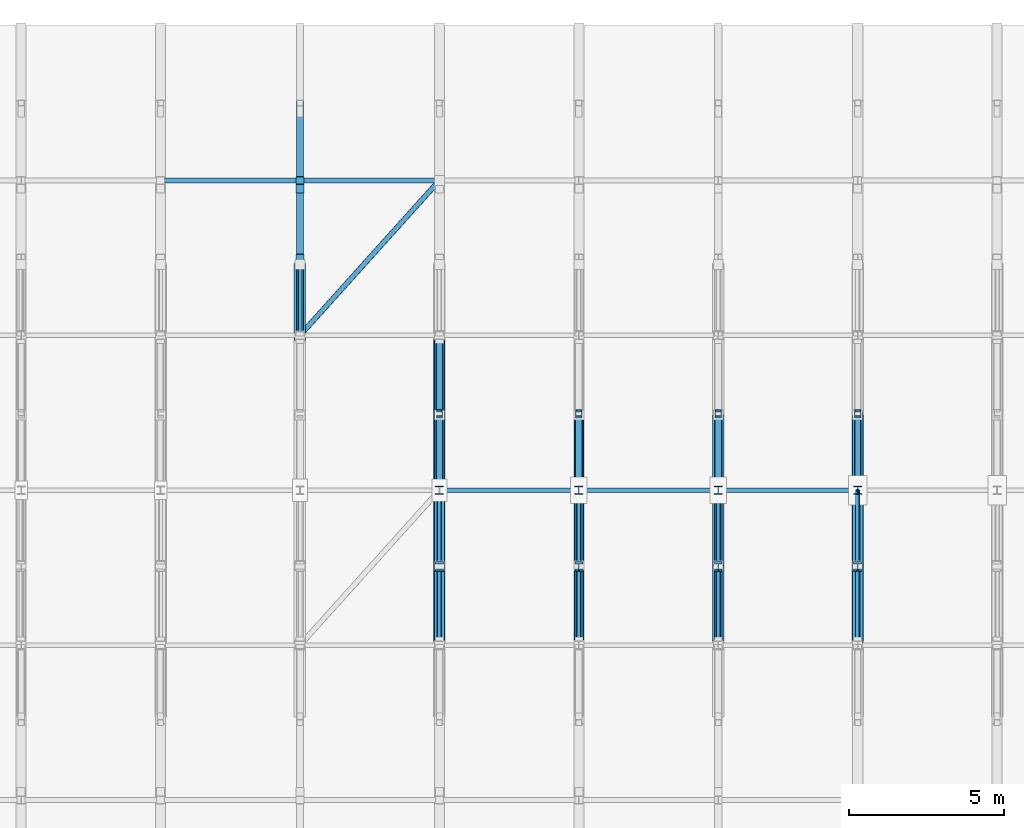
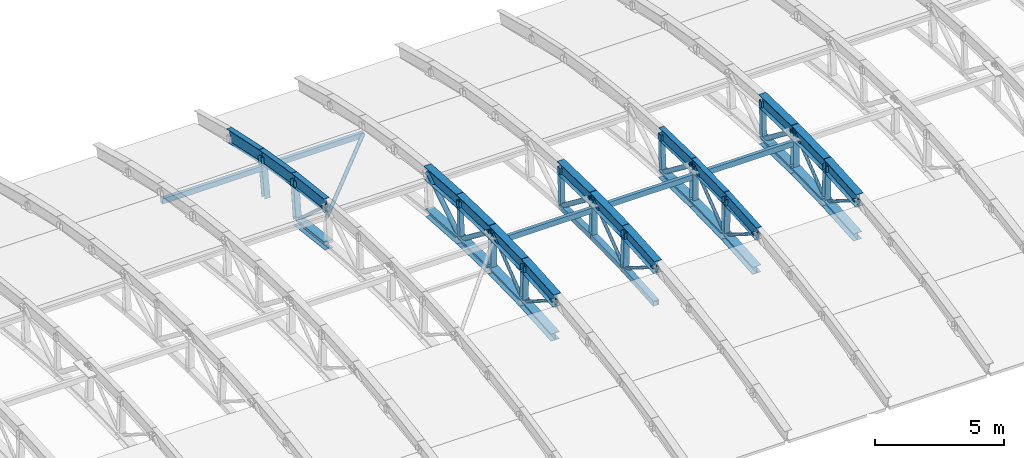
# One storey, part 19 of 53: 48 members, 16 beams.
"""IFC4 building model written with IfcOpenShell, lengths in metres."""

from ifc_helpers import new_model, si_unit, direction, frame, origin, origin_2d, place, context, subcontext, project, spatial, hollow_rectangle, hollow_circle, i_section, extrude, material, material_profile, profile_set, type_object, element, save


model = new_model("IFC4")

# Units and contexts
model_context = context("Model", 3, precision=1e-05, world=origin(), true_north=direction((0.0, 1.0)))
body_context = subcontext(model_context, "Body", "Model", "MODEL_VIEW")
ifc_project = project(units=[si_unit("LENGTHUNIT", "METRE"), si_unit("AREAUNIT", "SQUARE_METRE"), si_unit("VOLUMEUNIT", "CUBIC_METRE"), si_unit("PLANEANGLEUNIT", "RADIAN"), si_unit("MASSUNIT", "GRAM", prefix="KILO")], contexts=[model_context])

# Site, building, storey
site_placement = place(None, origin())
site = spatial("IfcSite", under=ifc_project, at=site_placement, CompositionType="ELEMENT")
building_placement = place(site_placement, origin())
building = spatial("IfcBuilding", under=site, at=building_placement, Name="Cazmaro Siding Exhibition Halls", CompositionType="ELEMENT")
storey_placement = place(building_placement, frame((0.0, 0.0, 21.0)))
storey = spatial("IfcBuildingStorey", under=building, at=storey_placement, Name="L04", CompositionType="ELEMENT", Elevation=21.0)

# Beams
ifc_material_1 = material(Name="Steel ASTM A992 Grade 50", Category="steel")
ifc_material_profile_1 = material_profile(ifc_material_1, i_section(OverallWidth=0.327880859375, OverallDepth=0.626953125, WebThickness=0.01708984375, FlangeThickness=0.028076171875, at=origin_2d()), Name="W24X146")
ifc_profile_set_1 = profile_set([ifc_material_profile_1], Name="Steel ASTM A992 Grade 50")
beam_type_1 = type_object("IfcBeamType", Name="AR-01", PredefinedType="USERDEFINED", material=ifc_profile_set_1)
beam_1_placement = place(storey_placement, frame((112.5, 89.0, 2.26611328125), z_axis=(0.0, 0.997537204184, 0.070139334669), x_axis=(-1.0, 0.0, 0.0)))
element("IfcBeam", 1, at=beam_1_placement, inside=storey, type_object=beam_type_1, Name="Space frame barrel vault arched rib AR-01 BM-0905", ObjectType="ARCHED RIB", PredefinedType="USERDEFINED", context=body_context, shape_type="SweptSolid", body=[
    extrude(i_section(OverallWidth=0.327880859375, OverallDepth=0.626953125, WebThickness=0.01708984375, FlangeThickness=0.028076171875, at=origin_2d()), origin(), (0.0, 0.0, 1.0), 2.506103515625),
])
for number, where, z_axis, x_axis, name in (
    (2, (112.5, 91.5, 2.44189453125), (0.0, 0.999730009742, 0.023235912336), (-1.0, 0.0, 0.0), "Space frame barrel vault arched rib AR-01 BM-0906"),
    (3, (112.5, 94.0, 2.5), (0.0, 0.999730009742, -0.023235912336), (-1.0, 0.0, 0.0), "Space frame barrel vault arched rib AR-01 BM-0907"),
):
    element("IfcBeam", number, at=place(storey_placement, frame(where, z_axis=z_axis, x_axis=x_axis)), inside=storey, type_object=beam_type_1, Name=name, ObjectType="ARCHED RIB", PredefinedType="USERDEFINED", context=body_context, shape_type="SweptSolid", body=[
        extrude(i_section(OverallWidth=0.327880859375, OverallDepth=0.626953125, WebThickness=0.01708984375, FlangeThickness=0.028076171875, at=origin_2d()), origin(), (0.0, 0.0, 1.0), 2.500732421875),
    ])
for number, where, z_axis, x_axis, name in (
    (4, (112.5, 96.5, 2.44189453125), (0.0, 0.997537204184, -0.070139334669), (-1.0, 0.0, 0.0), "Space frame barrel vault arched rib AR-01 BM-0908"),
    (5, (126.0, 89.0, 2.26611328125), (0.0, 0.997537204184, 0.070139334669), (-1.0, 0.0, 0.0), "Space frame barrel vault arched rib AR-01 BM-0977"),
):
    element("IfcBeam", number, at=place(storey_placement, frame(where, z_axis=z_axis, x_axis=x_axis)), inside=storey, type_object=beam_type_1, Name=name, ObjectType="ARCHED RIB", PredefinedType="USERDEFINED", context=body_context, shape_type="SweptSolid", body=[
        extrude(i_section(OverallWidth=0.327880859375, OverallDepth=0.626953125, WebThickness=0.01708984375, FlangeThickness=0.028076171875, at=origin_2d()), origin(), (0.0, 0.0, 1.0), 2.506103515625),
    ])
for number, where, z_axis, x_axis, name in (
    (6, (126.0, 91.5, 2.44189453125), (0.0, 0.999730009742, 0.023235912336), (-1.0, 0.0, 0.0), "Space frame barrel vault arched rib AR-01 BM-0978"),
    (7, (126.0, 94.0, 2.5), (0.0, 0.999730009742, -0.023235912336), (-1.0, 0.0, 0.0), "Space frame barrel vault arched rib AR-01 BM-0979"),
):
    element("IfcBeam", number, at=place(storey_placement, frame(where, z_axis=z_axis, x_axis=x_axis)), inside=storey, type_object=beam_type_1, Name=name, ObjectType="ARCHED RIB", PredefinedType="USERDEFINED", context=body_context, shape_type="SweptSolid", body=[
        extrude(i_section(OverallWidth=0.327880859375, OverallDepth=0.626953125, WebThickness=0.01708984375, FlangeThickness=0.028076171875, at=origin_2d()), origin(), (0.0, 0.0, 1.0), 2.500732421875),
    ])
ifc_material_2 = material(Name="Steel ASTM A992 Grade 50", Category="steel")
ifc_material_profile_2 = material_profile(ifc_material_2, i_section(OverallWidth=0.324951171875, OverallDepth=0.612060546875, WebThickness=0.012939453125, FlangeThickness=0.01904296875, at=origin_2d()), Name="W24X104")
ifc_profile_set_2 = profile_set([ifc_material_profile_2], Name="Steel ASTM A992 Grade 50")
beam_type_2 = type_object("IfcBeamType", Name="AR-02", PredefinedType="USERDEFINED", material=ifc_profile_set_2)
beam_2_placement = place(storey_placement, frame((117.0, 89.0, 2.26611328125), z_axis=(0.0, 0.997537204184, 0.070139334669), x_axis=(-1.0, 0.0, 0.0)))
element("IfcBeam", 8, at=beam_2_placement, inside=storey, type_object=beam_type_2, Name="Space frame barrel vault arched rib AR-02 BM-0929", ObjectType="ARCHED RIB", PredefinedType="USERDEFINED", context=body_context, shape_type="SweptSolid", body=[
    extrude(i_section(OverallWidth=0.324951171875, OverallDepth=0.612060546875, WebThickness=0.012939453125, FlangeThickness=0.01904296875, at=origin_2d()), origin(), (0.0, 0.0, 1.0), 2.506103515625),
])
for number, where, z_axis, x_axis, name in (
    (9, (117.0, 91.5, 2.44189453125), (0.0, 0.999730009742, 0.023235912336), (-1.0, 0.0, 0.0), "Space frame barrel vault arched rib AR-02 BM-0930"),
    (10, (117.0, 94.0, 2.5), (0.0, 0.999730009742, -0.023235912336), (-1.0, 0.0, 0.0), "Space frame barrel vault arched rib AR-02 BM-0931"),
):
    element("IfcBeam", number, at=place(storey_placement, frame(where, z_axis=z_axis, x_axis=x_axis)), inside=storey, type_object=beam_type_2, Name=name, ObjectType="ARCHED RIB", PredefinedType="USERDEFINED", context=body_context, shape_type="SweptSolid", body=[
        extrude(i_section(OverallWidth=0.324951171875, OverallDepth=0.612060546875, WebThickness=0.012939453125, FlangeThickness=0.01904296875, at=origin_2d()), origin(), (0.0, 0.0, 1.0), 2.500732421875),
    ])
ifc_material_3 = material(Name="Steel ASTM A992 Grade 50", Category="steel")
ifc_material_profile_3 = material_profile(ifc_material_3, i_section(OverallWidth=0.22900390625, OverallDepth=0.612060546875, WebThickness=0.011962890625, FlangeThickness=0.02001953125, at=origin_2d()), Name="W24X84")
ifc_profile_set_3 = profile_set([ifc_material_profile_3], Name="Steel ASTM A992 Grade 50")
beam_type_3 = type_object("IfcBeamType", Name="AR-03", PredefinedType="USERDEFINED", material=ifc_profile_set_3)
beam_3_placement = place(storey_placement, frame((108.0, 99.0, 2.26611328125), z_axis=(0.0, 0.993147293786, -0.116869383693), x_axis=(-1.0, 0.0, 0.0)))
element("IfcBeam", 11, at=beam_3_placement, inside=storey, type_object=beam_type_3, Name="Space frame barrel vault arched rib AR-03 BM-0885", ObjectType="ARCHED RIB", PredefinedType="USERDEFINED", context=body_context, shape_type="SweptSolid", body=[
    extrude(i_section(OverallWidth=0.22900390625, OverallDepth=0.612060546875, WebThickness=0.011962890625, FlangeThickness=0.02001953125, at=origin_2d()), origin(), (0.0, 0.0, 1.0), 2.517333984375),
])
beam_4_placement = place(storey_placement, frame((108.0, 101.5, 1.971923828125), z_axis=(0.0, 0.98649787474, -0.163774061236), x_axis=(-1.0, 0.0, 0.0)))
element("IfcBeam", 12, at=beam_4_placement, inside=storey, type_object=beam_type_3, Name="Space frame barrel vault arched rib AR-03 BM-0886", ObjectType="ARCHED RIB", PredefinedType="USERDEFINED", context=body_context, shape_type="SweptSolid", body=[
    extrude(i_section(OverallWidth=0.22900390625, OverallDepth=0.612060546875, WebThickness=0.011962890625, FlangeThickness=0.02001953125, at=origin_2d()), origin(), (0.0, 0.0, 1.0), 2.5341796875),
])
beam_5_placement = place(storey_placement, frame((108.0, 104.0, 1.556884765625), z_axis=(0.0, 0.977710100146, -0.209959424826), x_axis=(-1.0, 0.0, 0.0)))
element("IfcBeam", 13, at=beam_5_placement, inside=storey, type_object=beam_type_3, Name="Space frame barrel vault arched rib AR-03 BM-0887", ObjectType="ARCHED RIB", PredefinedType="USERDEFINED", context=body_context, shape_type="SweptSolid", body=[
    extrude(i_section(OverallWidth=0.22900390625, OverallDepth=0.612060546875, WebThickness=0.011962890625, FlangeThickness=0.02001953125, at=origin_2d()), origin(), (0.0, 0.0, 1.0), 2.556884765625),
])
beam_6_placement = place(storey_placement, frame((121.5, 89.0, 2.26611328125), z_axis=(0.0, 0.997537204184, 0.070139334669), x_axis=(-1.0, 0.0, 0.0)))
element("IfcBeam", 14, at=beam_6_placement, inside=storey, type_object=beam_type_3, Name="Space frame barrel vault arched rib AR-03 BM-0953", ObjectType="ARCHED RIB", PredefinedType="USERDEFINED", context=body_context, shape_type="SweptSolid", body=[
    extrude(i_section(OverallWidth=0.22900390625, OverallDepth=0.612060546875, WebThickness=0.011962890625, FlangeThickness=0.02001953125, at=origin_2d()), origin(), (0.0, 0.0, 1.0), 2.506103515625),
])
for number, where, z_axis, x_axis, name in (
    (15, (121.5, 91.5, 2.44189453125), (0.0, 0.999730009742, 0.023235912336), (-1.0, 0.0, 0.0), "Space frame barrel vault arched rib AR-03 BM-0954"),
    (16, (121.5, 94.0, 2.5), (0.0, 0.999730009742, -0.023235912336), (-1.0, 0.0, 0.0), "Space frame barrel vault arched rib AR-03 BM-0955"),
):
    element("IfcBeam", number, at=place(storey_placement, frame(where, z_axis=z_axis, x_axis=x_axis)), inside=storey, type_object=beam_type_3, Name=name, ObjectType="ARCHED RIB", PredefinedType="USERDEFINED", context=body_context, shape_type="SweptSolid", body=[
        extrude(i_section(OverallWidth=0.22900390625, OverallDepth=0.612060546875, WebThickness=0.011962890625, FlangeThickness=0.02001953125, at=origin_2d()), origin(), (0.0, 0.0, 1.0), 2.500732421875),
    ])

# Members
ifc_material_4 = material(Name="Steel ASTM A500 Grade C", Category="steel")
ifc_material_profile_4 = material_profile(ifc_material_4, hollow_rectangle(XDim=0.152099609375, YDim=0.25390625, WallThickness=0.011962890625, at=origin_2d()), Name="HSS10X6X1/2")
ifc_profile_set_4 = profile_set([ifc_material_profile_4], Name="Steel ASTM A500 Grade C")
member_type_1 = type_object("IfcMemberType", Name="RP-04", PredefinedType="PURLIN", material=ifc_profile_set_4)
for number, where, z_axis, x_axis, name in (
    (17, (103.5, 104.0, 1.01708984375), (1.0, 0.0, 0.0), (0.0, 1.0, 0.0), "Space frame barrel vault purlin RP-04 MEM-2126"),
    (18, (108.0, 104.0, 1.01708984375), (1.0, 0.0, 0.0), (0.0, 1.0, 0.0), "Space frame barrel vault purlin RP-04 MEM-2137"),
    (19, (112.5, 94.0, 1.9599609375), (1.0, 0.0, 0.0), (0.0, 1.0, 0.0), "Space frame barrel vault purlin RP-04 MEM-2152"),
    (20, (117.0, 94.0, 1.9599609375), (1.0, 0.0, 0.0), (0.0, 1.0, 0.0), "Space frame barrel vault purlin RP-04 MEM-2163"),
    (21, (121.5, 94.0, 1.9599609375), (1.0, 0.0, 0.0), (0.0, 1.0, 0.0), "Space frame barrel vault purlin RP-04 MEM-2174"),
):
    element("IfcMember", number, at=place(storey_placement, frame(where, z_axis=z_axis, x_axis=x_axis)), inside=storey, type_object=member_type_1, Name=name, PredefinedType="PURLIN", context=body_context, shape_type="SweptSolid", body=[
        extrude(hollow_rectangle(XDim=0.152099609375, YDim=0.25390625, WallThickness=0.011962890625, at=origin_2d()), origin(), (0.0, 0.0, 1.0), 4.5),
    ])
ifc_material_5 = material(Name="Steel ASTM A500 Grade C", Category="steel")
ifc_material_profile_5 = material_profile(ifc_material_5, hollow_rectangle(XDim=0.25390625, YDim=0.25390625, WallThickness=0.014892578125, at=origin_2d()), Name="HSS10X10X5/8")
ifc_profile_set_5 = profile_set([ifc_material_profile_5], Name="Steel ASTM A500 Grade C")
member_type_2 = type_object("IfcMemberType", Name="TC-01", PredefinedType="CHORD", material=ifc_profile_set_5)
member_1_placement = place(storey_placement, frame((117.0, 89.139892578125, 0.472900390625), z_axis=(0.0, 0.997529419526, 0.070249962135), x_axis=(-1.0, 0.0, 0.0)))
element("IfcMember", 22, at=member_1_placement, inside=storey, type_object=member_type_2, Name="Space frame barrel vault bottom chord TC-01 MEM-1109", PredefinedType="CHORD", context=body_context, shape_type="SweptSolid", body=[
    extrude(hollow_rectangle(XDim=0.25390625, YDim=0.25390625, WallThickness=0.014892578125, at=origin_2d()), origin(), (0.0, 0.0, 1.0), 2.436279296875),
])
for number, where, z_axis, x_axis, name in (
    (23, (117.0, 91.570068359375, 0.64404296875), (0.0, 0.99973541783, 0.023002050707), (-1.0, 0.0, 0.0), "Space frame barrel vault bottom chord TC-01 MEM-1111"),
    (24, (117.0, 94.0, 0.699951171875), (0.0, 0.99973541783, -0.023002050707), (-1.0, 0.0, 0.0), "Space frame barrel vault bottom chord TC-01 MEM-1113"),
):
    element("IfcMember", number, at=place(storey_placement, frame(where, z_axis=z_axis, x_axis=x_axis)), inside=storey, type_object=member_type_2, Name=name, PredefinedType="CHORD", context=body_context, shape_type="SweptSolid", body=[
        extrude(hollow_rectangle(XDim=0.25390625, YDim=0.25390625, WallThickness=0.014892578125, at=origin_2d()), origin(), (0.0, 0.0, 1.0), 2.4306640625),
    ])
ifc_material_6 = material(Name="Steel ASTM A992 Grade 50", Category="steel")
ifc_material_profile_6 = material_profile(ifc_material_6, i_section(OverallWidth=0.37109375, OverallDepth=0.364013671875, WebThickness=0.012939453125, FlangeThickness=0.02197265625, at=origin_2d()), Name="W14X109")
ifc_profile_set_6 = profile_set([ifc_material_profile_6], Name="Steel ASTM A992 Grade 50")
member_type_3 = type_object("IfcMemberType", Name="TC-06", PredefinedType="CHORD", material=ifc_profile_set_6)
member_2_placement = place(storey_placement, frame((108.0, 98.860107421875, 0.472900390625), z_axis=(0.0, 0.993149923187, -0.116847037079), x_axis=(-1.0, 0.0, 0.0)))
element("IfcMember", 25, at=member_2_placement, inside=storey, type_object=member_type_3, Name="Space frame barrel vault bottom chord TC-06 MEM-0975", PredefinedType="CHORD", context=body_context, shape_type="SweptSolid", body=[
    extrude(i_section(OverallWidth=0.37109375, OverallDepth=0.364013671875, WebThickness=0.012939453125, FlangeThickness=0.02197265625, at=origin_2d()), origin(), (0.0, 0.0, 1.0), 2.44677734375),
])
member_3_placement = place(storey_placement, frame((112.5, 89.139892578125, 0.472900390625), z_axis=(0.0, 0.997529419526, 0.070249962135), x_axis=(-1.0, 0.0, 0.0)))
element("IfcMember", 26, at=member_3_placement, inside=storey, type_object=member_type_3, Name="Space frame barrel vault bottom chord TC-06 MEM-1038", PredefinedType="CHORD", context=body_context, shape_type="SweptSolid", body=[
    extrude(i_section(OverallWidth=0.37109375, OverallDepth=0.364013671875, WebThickness=0.012939453125, FlangeThickness=0.02197265625, at=origin_2d()), origin(), (0.0, 0.0, 1.0), 2.436279296875),
])
for number, where, z_axis, x_axis, name in (
    (27, (112.5, 91.570068359375, 0.64404296875), (0.0, 0.99973541783, 0.023002050707), (-1.0, 0.0, 0.0), "Space frame barrel vault bottom chord TC-06 MEM-1040"),
    (28, (112.5, 94.0, 0.699951171875), (0.0, 0.99973541783, -0.023002050707), (-1.0, 0.0, 0.0), "Space frame barrel vault bottom chord TC-06 MEM-1042"),
):
    element("IfcMember", number, at=place(storey_placement, frame(where, z_axis=z_axis, x_axis=x_axis)), inside=storey, type_object=member_type_3, Name=name, PredefinedType="CHORD", context=body_context, shape_type="SweptSolid", body=[
        extrude(i_section(OverallWidth=0.37109375, OverallDepth=0.364013671875, WebThickness=0.012939453125, FlangeThickness=0.02197265625, at=origin_2d()), origin(), (0.0, 0.0, 1.0), 2.4306640625),
    ])
for number, where, z_axis, x_axis, name in (
    (29, (112.5, 96.429931640625, 0.64404296875), (0.0, 0.997529419526, -0.070249962135), (-1.0, 0.0, 0.0), "Space frame barrel vault bottom chord TC-06 MEM-1044"),
    (30, (121.5, 89.139892578125, 0.472900390625), (0.0, 0.997529419526, 0.070249962135), (-1.0, 0.0, 0.0), "Space frame barrel vault bottom chord TC-06 MEM-1180"),
):
    element("IfcMember", number, at=place(storey_placement, frame(where, z_axis=z_axis, x_axis=x_axis)), inside=storey, type_object=member_type_3, Name=name, PredefinedType="CHORD", context=body_context, shape_type="SweptSolid", body=[
        extrude(i_section(OverallWidth=0.37109375, OverallDepth=0.364013671875, WebThickness=0.012939453125, FlangeThickness=0.02197265625, at=origin_2d()), origin(), (0.0, 0.0, 1.0), 2.436279296875),
    ])
for number, where, z_axis, x_axis, name in (
    (31, (121.5, 91.570068359375, 0.64404296875), (0.0, 0.99973541783, 0.023002050707), (-1.0, 0.0, 0.0), "Space frame barrel vault bottom chord TC-06 MEM-1182"),
    (32, (121.5, 94.0, 0.699951171875), (0.0, 0.99973541783, -0.023002050707), (-1.0, 0.0, 0.0), "Space frame barrel vault bottom chord TC-06 MEM-1184"),
):
    element("IfcMember", number, at=place(storey_placement, frame(where, z_axis=z_axis, x_axis=x_axis)), inside=storey, type_object=member_type_3, Name=name, PredefinedType="CHORD", context=body_context, shape_type="SweptSolid", body=[
        extrude(i_section(OverallWidth=0.37109375, OverallDepth=0.364013671875, WebThickness=0.012939453125, FlangeThickness=0.02197265625, at=origin_2d()), origin(), (0.0, 0.0, 1.0), 2.4306640625),
    ])
member_4_placement = place(storey_placement, frame((126.0, 89.139892578125, 0.472900390625), z_axis=(0.0, 0.997529419526, 0.070249962135), x_axis=(-1.0, 0.0, 0.0)))
element("IfcMember", 33, at=member_4_placement, inside=storey, type_object=member_type_3, Name="Space frame barrel vault bottom chord TC-06 MEM-1251", PredefinedType="CHORD", context=body_context, shape_type="SweptSolid", body=[
    extrude(i_section(OverallWidth=0.37109375, OverallDepth=0.364013671875, WebThickness=0.012939453125, FlangeThickness=0.02197265625, at=origin_2d()), origin(), (0.0, 0.0, 1.0), 2.436279296875),
])
for number, where, z_axis, x_axis, name in (
    (34, (126.0, 91.570068359375, 0.64404296875), (0.0, 0.99973541783, 0.023002050707), (-1.0, 0.0, 0.0), "Space frame barrel vault bottom chord TC-06 MEM-1253"),
    (35, (126.0, 94.0, 0.699951171875), (0.0, 0.99973541783, -0.023002050707), (-1.0, 0.0, 0.0), "Space frame barrel vault bottom chord TC-06 MEM-1255"),
):
    element("IfcMember", number, at=place(storey_placement, frame(where, z_axis=z_axis, x_axis=x_axis)), inside=storey, type_object=member_type_3, Name=name, PredefinedType="CHORD", context=body_context, shape_type="SweptSolid", body=[
        extrude(i_section(OverallWidth=0.37109375, OverallDepth=0.364013671875, WebThickness=0.012939453125, FlangeThickness=0.02197265625, at=origin_2d()), origin(), (0.0, 0.0, 1.0), 2.4306640625),
    ])
ifc_material_7 = material(Name="Steel ASTM A500 Grade C", Category="steel")
ifc_material_profile_7 = material_profile(ifc_material_7, hollow_rectangle(XDim=0.202880859375, YDim=0.202880859375, WallThickness=0.011962890625, at=origin_2d()), Name="HSS8X8X1/2")
ifc_profile_set_7 = profile_set([ifc_material_profile_7], Name="Steel ASTM A500 Grade C")
member_type_4 = type_object("IfcMemberType", Name="TP-01", PredefinedType="POST", material=ifc_profile_set_7)
for number, where, z_axis, x_axis, name in (
    (36, (112.5, 96.429931640625, 0.64404296875), (0.0, 0.038943818889, 0.999241401749), (-1.0, 0.0, 0.0), "Space frame barrel vault post TP-01 MEM-1078"),
    (37, (117.0, 96.429931640625, 0.64404296875), (0.0, 0.038943818889, 0.999241401749), (-1.0, 0.0, 0.0), "Space frame barrel vault post TP-01 MEM-1149"),
    (38, (121.5, 96.429931640625, 0.64404296875), (0.0, 0.038943818889, 0.999241401749), (-1.0, 0.0, 0.0), "Space frame barrel vault post TP-01 MEM-1220"),
    (39, (126.0, 96.429931640625, 0.64404296875), (0.0, 0.038943818889, 0.999241401749), (-1.0, 0.0, 0.0), "Space frame barrel vault post TP-01 MEM-1291"),
):
    element("IfcMember", number, at=place(storey_placement, frame(where, z_axis=z_axis, x_axis=x_axis)), inside=storey, type_object=member_type_4, Name=name, PredefinedType="POST", context=body_context, shape_type="SweptSolid", body=[
        extrude(hollow_rectangle(XDim=0.202880859375, YDim=0.202880859375, WallThickness=0.011962890625, at=origin_2d()), origin(), (0.0, 0.0, 1.0), 1.79931640625),
    ])
ifc_material_8 = material(Name="Steel ASTM A992 Grade 50", Category="steel")
ifc_material_profile_8 = material_profile(ifc_material_8, i_section(OverallWidth=0.25390625, OverallDepth=0.25390625, WebThickness=0.009033203125, FlangeThickness=0.013916015625, at=origin_2d()), Name="W10X49")
ifc_profile_set_8 = profile_set([ifc_material_profile_8], Name="Steel ASTM A992 Grade 50")
member_type_5 = type_object("IfcMemberType", Name="TP-04", PredefinedType="POST", material=ifc_profile_set_8)
member_5_placement = place(storey_placement, frame((108.0, 101.2900390625, 0.18701171875), z_axis=(0.0, 0.116825484133, 0.993152458718), x_axis=(-1.0, 0.0, 0.0)))
element("IfcMember", 40, at=member_5_placement, inside=storey, type_object=member_type_5, Name="Space frame barrel vault post TP-04 MEM-1009", PredefinedType="POST", context=body_context, shape_type="SweptSolid", body=[
    extrude(i_section(OverallWidth=0.25390625, OverallDepth=0.25390625, WebThickness=0.009033203125, FlangeThickness=0.013916015625, at=origin_2d()), origin(), (0.0, 0.0, 1.0), 1.797119140625),
])
member_6_placement = place(storey_placement, frame((108.0, 103.719970703125, -0.217041015625), z_axis=(0.0, 0.155927668857, 0.987768475952), x_axis=(-1.0, 0.0, 0.0)))
element("IfcMember", 41, at=member_6_placement, inside=storey, type_object=member_type_5, Name="Space frame barrel vault post TP-04 MEM-1010", PredefinedType="POST", context=body_context, shape_type="SweptSolid", body=[
    extrude(i_section(OverallWidth=0.25390625, OverallDepth=0.25390625, WebThickness=0.009033203125, FlangeThickness=0.013916015625, at=origin_2d()), origin(), (0.0, 0.0, 1.0), 1.7958984375),
])
member_7_placement = place(storey_placement, frame((112.5, 91.570068359375, 0.64404296875), z_axis=(0.0, -0.038943818889, 0.999241401749), x_axis=(1.0, 0.0, 0.0)))
element("IfcMember", 42, at=member_7_placement, inside=storey, type_object=member_type_5, Name="Space frame barrel vault post TP-04 MEM-1076", PredefinedType="POST", context=body_context, shape_type="SweptSolid", body=[
    extrude(i_section(OverallWidth=0.25390625, OverallDepth=0.25390625, WebThickness=0.009033203125, FlangeThickness=0.013916015625, at=origin_2d()), origin(), (0.0, 0.0, 1.0), 1.79931640625),
])
member_8_placement = place(storey_placement, frame((112.5, 94.0, 0.699951171875), z_axis=(0.0, 0.0, 1.0), x_axis=(1.0, 0.0, 0.0)))
element("IfcMember", 43, at=member_8_placement, inside=storey, type_object=member_type_5, Name="Space frame barrel vault post TP-04 MEM-1077", PredefinedType="POST", context=body_context, shape_type="SweptSolid", body=[
    extrude(i_section(OverallWidth=0.25390625, OverallDepth=0.25390625, WebThickness=0.009033203125, FlangeThickness=0.013916015625, at=origin_2d()), origin(), (0.0, 0.0, 1.0), 1.800048828125),
])
member_9_placement = place(storey_placement, frame((117.0, 91.570068359375, 0.64404296875), z_axis=(0.0, -0.038943818889, 0.999241401749), x_axis=(1.0, 0.0, 0.0)))
element("IfcMember", 44, at=member_9_placement, inside=storey, type_object=member_type_5, Name="Space frame barrel vault post TP-04 MEM-1147", PredefinedType="POST", context=body_context, shape_type="SweptSolid", body=[
    extrude(i_section(OverallWidth=0.25390625, OverallDepth=0.25390625, WebThickness=0.009033203125, FlangeThickness=0.013916015625, at=origin_2d()), origin(), (0.0, 0.0, 1.0), 1.79931640625),
])
member_10_placement = place(storey_placement, frame((117.0, 94.0, 0.699951171875), z_axis=(0.0, 0.0, 1.0), x_axis=(1.0, 0.0, 0.0)))
element("IfcMember", 45, at=member_10_placement, inside=storey, type_object=member_type_5, Name="Space frame barrel vault post TP-04 MEM-1148", PredefinedType="POST", context=body_context, shape_type="SweptSolid", body=[
    extrude(i_section(OverallWidth=0.25390625, OverallDepth=0.25390625, WebThickness=0.009033203125, FlangeThickness=0.013916015625, at=origin_2d()), origin(), (0.0, 0.0, 1.0), 1.800048828125),
])
member_11_placement = place(storey_placement, frame((121.5, 91.570068359375, 0.64404296875), z_axis=(0.0, -0.038943818889, 0.999241401749), x_axis=(1.0, 0.0, 0.0)))
element("IfcMember", 46, at=member_11_placement, inside=storey, type_object=member_type_5, Name="Space frame barrel vault post TP-04 MEM-1218", PredefinedType="POST", context=body_context, shape_type="SweptSolid", body=[
    extrude(i_section(OverallWidth=0.25390625, OverallDepth=0.25390625, WebThickness=0.009033203125, FlangeThickness=0.013916015625, at=origin_2d()), origin(), (0.0, 0.0, 1.0), 1.79931640625),
])
member_12_placement = place(storey_placement, frame((121.5, 94.0, 0.699951171875), z_axis=(0.0, 0.0, 1.0), x_axis=(1.0, 0.0, 0.0)))
element("IfcMember", 47, at=member_12_placement, inside=storey, type_object=member_type_5, Name="Space frame barrel vault post TP-04 MEM-1219", PredefinedType="POST", context=body_context, shape_type="SweptSolid", body=[
    extrude(i_section(OverallWidth=0.25390625, OverallDepth=0.25390625, WebThickness=0.009033203125, FlangeThickness=0.013916015625, at=origin_2d()), origin(), (0.0, 0.0, 1.0), 1.800048828125),
])
member_13_placement = place(storey_placement, frame((126.0, 91.570068359375, 0.64404296875), z_axis=(0.0, -0.038943818889, 0.999241401749), x_axis=(1.0, 0.0, 0.0)))
element("IfcMember", 48, at=member_13_placement, inside=storey, type_object=member_type_5, Name="Space frame barrel vault post TP-04 MEM-1289", PredefinedType="POST", context=body_context, shape_type="SweptSolid", body=[
    extrude(i_section(OverallWidth=0.25390625, OverallDepth=0.25390625, WebThickness=0.009033203125, FlangeThickness=0.013916015625, at=origin_2d()), origin(), (0.0, 0.0, 1.0), 1.79931640625),
])
member_14_placement = place(storey_placement, frame((126.0, 94.0, 0.699951171875), z_axis=(0.0, 0.0, 1.0), x_axis=(1.0, 0.0, 0.0)))
element("IfcMember", 49, at=member_14_placement, inside=storey, type_object=member_type_5, Name="Space frame barrel vault post TP-04 MEM-1290", PredefinedType="POST", context=body_context, shape_type="SweptSolid", body=[
    extrude(i_section(OverallWidth=0.25390625, OverallDepth=0.25390625, WebThickness=0.009033203125, FlangeThickness=0.013916015625, at=origin_2d()), origin(), (0.0, 0.0, 1.0), 1.800048828125),
])
ifc_material_9 = material(Name="Steel ASTM A500 Grade C", Category="steel")
ifc_material_profile_9 = material_profile(ifc_material_9, hollow_circle(Radius=0.109619140625, WallThickness=0.012939453125, at=origin_2d()), Name="PIPE8XS")
ifc_profile_set_9 = profile_set([ifc_material_profile_9], Name="Steel ASTM A500 Grade C")
member_type_6 = type_object("IfcMemberType", Name="WB-01", PredefinedType="BRACE", material=ifc_profile_set_9)
member_15_placement = place(storey_placement, frame((112.5, 94.0, 2.5), z_axis=(0.0, 0.794708988455, -0.60699062898), x_axis=(-1.0, 0.0, 0.0)))
element("IfcMember", 50, at=member_15_placement, inside=storey, type_object=member_type_6, Name="Space frame barrel vault diagonal WB-01 MEM-1043", PredefinedType="BRACE", context=body_context, shape_type="SweptSolid", body=[
    extrude(hollow_circle(Radius=0.109619140625, WallThickness=0.012939453125, at=origin_2d()), origin(), (0.0, 0.0, 1.0), 3.0576171875),
])
member_16_placement = place(storey_placement, frame((112.5, 96.429931640625, 0.64404296875), z_axis=(0.0, 0.84565684294, 0.533726993872), x_axis=(-1.0, 0.0, 0.0)))
element("IfcMember", 51, at=member_16_placement, inside=storey, type_object=member_type_6, Name="Space frame barrel vault diagonal WB-01 MEM-1045", PredefinedType="BRACE", context=body_context, shape_type="SweptSolid", body=[
    extrude(hollow_circle(Radius=0.109619140625, WallThickness=0.012939453125, at=origin_2d()), origin(), (0.0, 0.0, 1.0), 3.0390625),
])
for number, where, z_axis, x_axis, name in (
    (52, (117.0, 94.0, 2.5), (0.0, 0.794708988455, -0.60699062898), (-1.0, 0.0, 0.0), "Space frame barrel vault diagonal WB-01 MEM-1114"),
    (53, (121.5, 94.0, 2.5), (0.0, 0.794708988455, -0.60699062898), (-1.0, 0.0, 0.0), "Space frame barrel vault diagonal WB-01 MEM-1185"),
    (54, (126.0, 94.0, 2.5), (0.0, 0.794708988455, -0.60699062898), (-1.0, 0.0, 0.0), "Space frame barrel vault diagonal WB-01 MEM-1256"),
):
    element("IfcMember", number, at=place(storey_placement, frame(where, z_axis=z_axis, x_axis=x_axis)), inside=storey, type_object=member_type_6, Name=name, PredefinedType="BRACE", context=body_context, shape_type="SweptSolid", body=[
        extrude(hollow_circle(Radius=0.109619140625, WallThickness=0.012939453125, at=origin_2d()), origin(), (0.0, 0.0, 1.0), 3.0576171875),
    ])
ifc_material_10 = material(Name="Steel ASTM A500 Grade C", Category="steel")
ifc_material_profile_10 = material_profile(ifc_material_10, hollow_circle(Radius=0.083984375, WallThickness=0.01806640625, at=origin_2d()), Name="PIPE6XXS")
ifc_profile_set_10 = profile_set([ifc_material_profile_10], Name="Steel ASTM A500 Grade C")
member_type_7 = type_object("IfcMemberType", Name="WB-05", PredefinedType="BRACE", material=ifc_profile_set_10)
member_17_placement = place(storey_placement, frame((108.0, 99.0, 1.72607421875), z_axis=(0.66527981217, 0.7391997913, -0.104816220407), x_axis=(-0.743294146247, 0.668964731622, 0.0)))
element("IfcMember", 55, at=member_17_placement, inside=storey, type_object=member_type_7, Name="Space frame barrel vault wind brace WB-05 MEM-2143", PredefinedType="BRACE", context=body_context, shape_type="SweptSolid", body=[
    extrude(hollow_circle(Radius=0.083984375, WallThickness=0.01806640625, at=origin_2d()), origin(), (0.0, 0.0, 1.0), 6.76416015625),
])
ifc_material_11 = material(Name="Steel ASTM A500 Grade C", Category="steel")
ifc_material_profile_11 = material_profile(ifc_material_11, hollow_circle(Radius=0.070556640625, WallThickness=0.01904296875, at=origin_2d()), Name="PIPE5XXS")
ifc_profile_set_11 = profile_set([ifc_material_profile_11], Name="Steel ASTM A500 Grade C")
member_type_8 = type_object("IfcMemberType", Name="WB-07", PredefinedType="BRACE", material=ifc_profile_set_11)
member_18_placement = place(storey_placement, frame((108.0, 99.0, 2.26611328125), z_axis=(0.0, 0.740382789782, -0.672185483772), x_axis=(-1.0, 0.0, 0.0)))
element("IfcMember", 56, at=member_18_placement, inside=storey, type_object=member_type_8, Name="Space frame barrel vault diagonal WB-07 MEM-0976", PredefinedType="BRACE", context=body_context, shape_type="SweptSolid", body=[
    extrude(hollow_circle(Radius=0.070556640625, WallThickness=0.01904296875, at=origin_2d()), origin(), (0.0, 0.0, 1.0), 3.093017578125),
])
member_19_placement = place(storey_placement, frame((112.5, 89.0, 2.26611328125), z_axis=(0.0, 0.84565684294, -0.533726993872), x_axis=(-1.0, 0.0, 0.0)))
element("IfcMember", 57, at=member_19_placement, inside=storey, type_object=member_type_8, Name="Space frame barrel vault diagonal WB-07 MEM-1039", PredefinedType="BRACE", context=body_context, shape_type="SweptSolid", body=[
    extrude(hollow_circle(Radius=0.070556640625, WallThickness=0.01904296875, at=origin_2d()), origin(), (0.0, 0.0, 1.0), 3.0390625),
])
member_20_placement = place(storey_placement, frame((112.5, 91.570068359375, 0.64404296875), z_axis=(0.0, 0.794708988455, 0.60699062898), x_axis=(-1.0, 0.0, 0.0)))
element("IfcMember", 58, at=member_20_placement, inside=storey, type_object=member_type_8, Name="Space frame barrel vault diagonal WB-07 MEM-1041", PredefinedType="BRACE", context=body_context, shape_type="SweptSolid", body=[
    extrude(hollow_circle(Radius=0.070556640625, WallThickness=0.01904296875, at=origin_2d()), origin(), (0.0, 0.0, 1.0), 3.0576171875),
])
member_21_placement = place(storey_placement, frame((117.0, 89.0, 2.26611328125), z_axis=(0.0, 0.84565684294, -0.533726993872), x_axis=(-1.0, 0.0, 0.0)))
element("IfcMember", 59, at=member_21_placement, inside=storey, type_object=member_type_8, Name="Space frame barrel vault diagonal WB-07 MEM-1110", PredefinedType="BRACE", context=body_context, shape_type="SweptSolid", body=[
    extrude(hollow_circle(Radius=0.070556640625, WallThickness=0.01904296875, at=origin_2d()), origin(), (0.0, 0.0, 1.0), 3.0390625),
])
member_22_placement = place(storey_placement, frame((117.0, 91.570068359375, 0.64404296875), z_axis=(0.0, 0.794708988455, 0.60699062898), x_axis=(-1.0, 0.0, 0.0)))
element("IfcMember", 60, at=member_22_placement, inside=storey, type_object=member_type_8, Name="Space frame barrel vault diagonal WB-07 MEM-1112", PredefinedType="BRACE", context=body_context, shape_type="SweptSolid", body=[
    extrude(hollow_circle(Radius=0.070556640625, WallThickness=0.01904296875, at=origin_2d()), origin(), (0.0, 0.0, 1.0), 3.0576171875),
])
member_23_placement = place(storey_placement, frame((121.5, 89.0, 2.26611328125), z_axis=(0.0, 0.84565684294, -0.533726993872), x_axis=(-1.0, 0.0, 0.0)))
element("IfcMember", 61, at=member_23_placement, inside=storey, type_object=member_type_8, Name="Space frame barrel vault diagonal WB-07 MEM-1181", PredefinedType="BRACE", context=body_context, shape_type="SweptSolid", body=[
    extrude(hollow_circle(Radius=0.070556640625, WallThickness=0.01904296875, at=origin_2d()), origin(), (0.0, 0.0, 1.0), 3.0390625),
])
member_24_placement = place(storey_placement, frame((121.5, 91.570068359375, 0.64404296875), z_axis=(0.0, 0.794708988455, 0.60699062898), x_axis=(-1.0, 0.0, 0.0)))
element("IfcMember", 62, at=member_24_placement, inside=storey, type_object=member_type_8, Name="Space frame barrel vault diagonal WB-07 MEM-1183", PredefinedType="BRACE", context=body_context, shape_type="SweptSolid", body=[
    extrude(hollow_circle(Radius=0.070556640625, WallThickness=0.01904296875, at=origin_2d()), origin(), (0.0, 0.0, 1.0), 3.0576171875),
])
member_25_placement = place(storey_placement, frame((126.0, 89.0, 2.26611328125), z_axis=(0.0, 0.84565684294, -0.533726993872), x_axis=(-1.0, 0.0, 0.0)))
element("IfcMember", 63, at=member_25_placement, inside=storey, type_object=member_type_8, Name="Space frame barrel vault diagonal WB-07 MEM-1252", PredefinedType="BRACE", context=body_context, shape_type="SweptSolid", body=[
    extrude(hollow_circle(Radius=0.070556640625, WallThickness=0.01904296875, at=origin_2d()), origin(), (0.0, 0.0, 1.0), 3.0390625),
])
member_26_placement = place(storey_placement, frame((126.0, 91.570068359375, 0.64404296875), z_axis=(0.0, 0.794708988455, 0.60699062898), x_axis=(-1.0, 0.0, 0.0)))
element("IfcMember", 64, at=member_26_placement, inside=storey, type_object=member_type_8, Name="Space frame barrel vault diagonal WB-07 MEM-1254", PredefinedType="BRACE", context=body_context, shape_type="SweptSolid", body=[
    extrude(hollow_circle(Radius=0.070556640625, WallThickness=0.01904296875, at=origin_2d()), origin(), (0.0, 0.0, 1.0), 3.0576171875),
])

save(model, "model.ifc")
